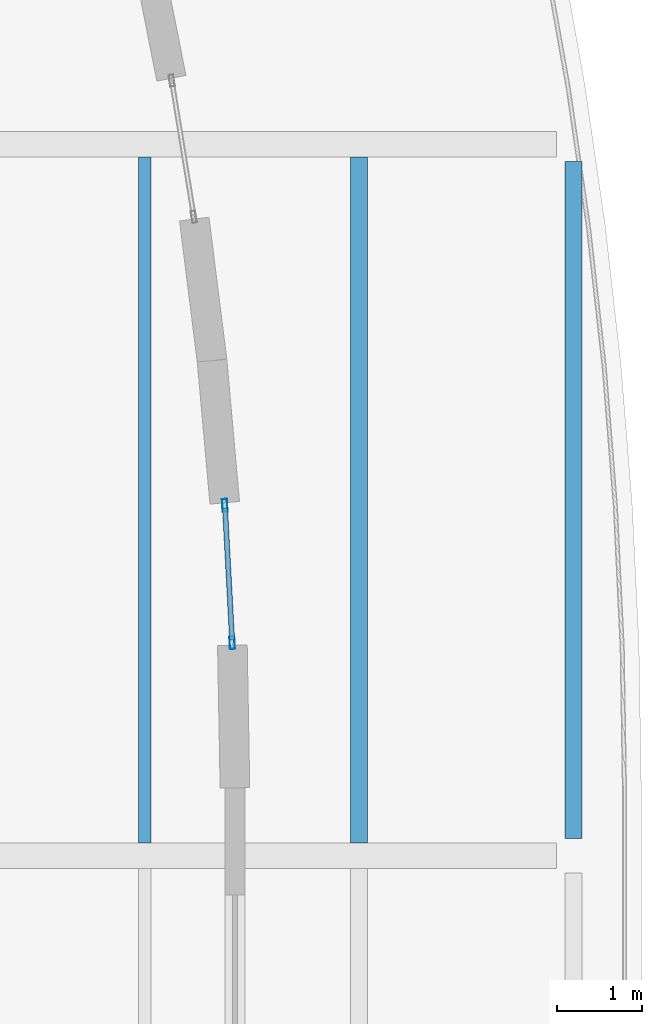
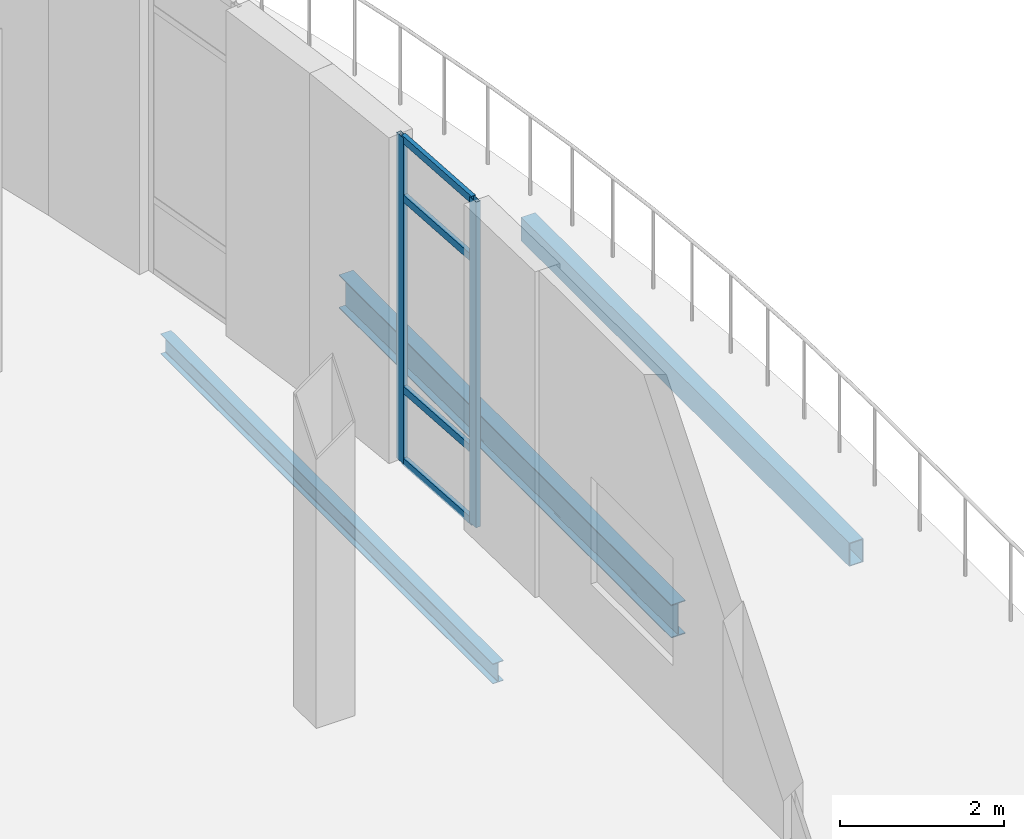
# One storey, part 46 of 103: 6 members, 3 beams, 1 element without a shape of its own.
"""IFC4 building model written with IfcOpenShell, lengths in metres."""

from ifc_helpers import new_model, si_unit, direction, frame, origin, origin_2d, place, context, subcontext, project, spatial, hollow_rectangle, i_section, extrude, material, layer, layer_set, material_profile, profile_set, type_object, element, aggregate, save


model = new_model("IFC4")

# Units and contexts
model_context = context("Model", 3, precision=1e-05, world=origin(), true_north=direction((0.0, 1.0)))
body_context = subcontext(model_context, "Body", "Model", "MODEL_VIEW")
ifc_project = project(units=[si_unit("LENGTHUNIT", "METRE"), si_unit("AREAUNIT", "SQUARE_METRE"), si_unit("VOLUMEUNIT", "CUBIC_METRE"), si_unit("PLANEANGLEUNIT", "RADIAN"), si_unit("MASSUNIT", "GRAM", prefix="KILO"), si_unit("THERMODYNAMICTEMPERATUREUNIT", "KELVIN")], contexts=[model_context])

# Site, building, storey
site_placement = place(None, origin())
site = spatial("IfcSite", under=ifc_project, at=site_placement, CompositionType="ELEMENT")
building_placement = place(site_placement, origin())
building = spatial("IfcBuilding", under=site, at=building_placement, Name="Lustrewick Department Store", CompositionType="ELEMENT")
storey_placement = place(building_placement, frame((0.0, 0.0, 16.5)))
storey = spatial("IfcBuildingStorey", under=building, at=storey_placement, Name="L04", CompositionType="ELEMENT", Elevation=16.5)

# Beams
ifc_material_1 = material(Name="Structural steel Q355B", Category="steel")
ifc_material_profile_1 = material_profile(ifc_material_1, i_section(OverallWidth=0.198974609375, OverallDepth=0.49609375, WebThickness=0.009033203125, FlangeThickness=0.013916015625, FilletRadius=0.01611328125, at=origin_2d()), Name="HN 496x199x9x14")
ifc_profile_set_1 = profile_set([ifc_material_profile_1], Name="Structural steel Q355B")
beam_type_1 = type_object("IfcBeamType", Name="B02", PredefinedType="JOIST", material=ifc_profile_set_1)
beam_1_placement = place(storey_placement, frame((164.666748046875, 58.950927734375, -0.5029296875), z_axis=(0.0, 1.0, 0.0), x_axis=(-1.0, 0.0, 0.0)))
element("IfcBeam", 1, at=beam_1_placement, inside=storey, type_object=beam_type_1, Name="L04 V4 Secondary Joist B02", PredefinedType="JOIST", context=body_context, shape_type="SweptSolid", body=[
    extrude(i_section(OverallWidth=0.198974609375, OverallDepth=0.49609375, WebThickness=0.009033203125, FlangeThickness=0.013916015625, FilletRadius=0.01611328125, at=origin_2d()), origin(), (0.0, 0.0, 1.0), 8.09814453125),
])
ifc_material_profile_2 = material_profile(ifc_material_1, i_section(OverallWidth=0.14990234375, OverallDepth=0.300048828125, WebThickness=0.006591796875, FlangeThickness=0.009033203125, FilletRadius=0.011962890625, at=origin_2d()), Name="HN 300x150x6.5x9")
ifc_profile_set_2 = profile_set([ifc_material_profile_2], Name="Structural steel Q355B")
beam_type_2 = type_object("IfcBeamType", Name="B11", PredefinedType="JOIST", material=ifc_profile_set_2)
beam_2_placement = place(storey_placement, frame((162.13330078125, 58.950927734375, -0.405029296875), z_axis=(0.0, 1.0, 0.0), x_axis=(-1.0, 0.0, 0.0)))
element("IfcBeam", 2, at=beam_2_placement, inside=storey, type_object=beam_type_2, Name="L04 V4 Secondary Joist B11", PredefinedType="JOIST", context=body_context, shape_type="SweptSolid", body=[
    extrude(i_section(OverallWidth=0.14990234375, OverallDepth=0.300048828125, WebThickness=0.006591796875, FlangeThickness=0.009033203125, FilletRadius=0.011962890625, at=origin_2d()), origin(), (0.0, 0.0, 1.0), 8.09814453125),
])

# Curtain wall, members
ifc_material_2 = material(Name="Thermally broken aluminium 6063-T5", Category="aluminium")
ifc_layer = layer(ifc_material_2, 0.14990234375, Name="Thermally broken aluminium 6063-T5")
ifc_layer_set = layer_set([ifc_layer], Name="Thermally broken aluminium 6063-T5")
curtain_wall_type = type_object("IfcCurtainWallType", Name="CW14", PredefinedType="NOTDEFINED", material=ifc_layer_set)
curtain_wall_placement = place(storey_placement, origin())
curtain_wall = element("IfcCurtainWall", 3, at=curtain_wall_placement, inside=storey, type_object=curtain_wall_type, Name="L04 V4 Curtain Wall CW14", PredefinedType="NOTDEFINED")
ifc_material_profile_3 = material_profile(ifc_material_2, hollow_rectangle(XDim=0.06005859375, YDim=0.14990234375, WallThickness=0.00341796875, at=origin_2d()), Name="ALU-M 60x150x3.5")
ifc_profile_set_3 = profile_set([ifc_material_profile_3], Name="Thermally broken aluminium 6063-T5")
member_type_1 = type_object("IfcMemberType", Name="CW14-M1", PredefinedType="MULLION", material=ifc_profile_set_3)
member_1_placement = place(storey_placement, frame((163.168212890625, 61.314697265625, 0.0), z_axis=(0.0, 0.0, 1.0), x_axis=(-0.998566036794, -0.053533822595, 0.0)))
member_1 = element("IfcMember", 4, at=member_1_placement, type_object=member_type_1, Name="CW14 mullion 1", PredefinedType="MULLION", context=body_context, shape_type="SweptSolid", body=[
    extrude(hollow_rectangle(XDim=0.06005859375, YDim=0.14990234375, WallThickness=0.00341796875, at=origin_2d()), origin(), (0.0, 0.0, 1.0), 4.844970703125),
])
member_2_placement = place(storey_placement, frame((163.081298828125, 62.937255859375, 0.0), z_axis=(0.0, 0.0, 1.0), x_axis=(-0.998566036794, -0.053533822595, 0.0)))
member_2 = element("IfcMember", 5, at=member_2_placement, type_object=member_type_1, Name="CW14 mullion 2", PredefinedType="MULLION", context=body_context, shape_type="SweptSolid", body=[
    extrude(hollow_rectangle(XDim=0.06005859375, YDim=0.14990234375, WallThickness=0.00341796875, at=origin_2d()), origin(), (0.0, 0.0, 1.0), 4.844970703125),
])
ifc_material_profile_4 = material_profile(ifc_material_2, hollow_rectangle(XDim=0.06005859375, YDim=0.110107421875, WallThickness=0.0029296875, at=origin_2d()), Name="ALU-T 60x110x3")
ifc_profile_set_4 = profile_set([ifc_material_profile_4], Name="Thermally broken aluminium 6063-T5")
member_type_2 = type_object("IfcMemberType", Name="CW14-T1", PredefinedType="USERDEFINED", material=ifc_profile_set_4)
member_3_placement = place(storey_placement, frame((163.166748046875, 61.3447265625, 0.030029296875), z_axis=(-0.053516947014, 0.998566941363, 0.0), x_axis=(-0.998566941363, -0.053516947014, 0.0)))
member_3 = element("IfcMember", 6, at=member_3_placement, type_object=member_type_2, Name="CW14 transom 1.1", ObjectType="TRANSOM", PredefinedType="USERDEFINED", context=body_context, shape_type="SweptSolid", body=[
    extrude(hollow_rectangle(XDim=0.06005859375, YDim=0.110107421875, WallThickness=0.0029296875, at=origin_2d()), origin(), (0.0, 0.0, 1.0), 1.564697265625),
])
member_4_placement = place(storey_placement, frame((163.166748046875, 61.3447265625, 1.10009765625), z_axis=(-0.053516947014, 0.998566941363, 0.0), x_axis=(-0.998566941363, -0.053516947014, 0.0)))
member_4 = element("IfcMember", 7, at=member_4_placement, type_object=member_type_2, Name="CW14 transom 1.2", ObjectType="TRANSOM", PredefinedType="USERDEFINED", context=body_context, shape_type="SweptSolid", body=[
    extrude(hollow_rectangle(XDim=0.06005859375, YDim=0.110107421875, WallThickness=0.0029296875, at=origin_2d()), origin(), (0.0, 0.0, 1.0), 1.564697265625),
])
member_5_placement = place(storey_placement, frame((163.166748046875, 61.3447265625, 3.945068359375), z_axis=(-0.053516947014, 0.998566941363, 0.0), x_axis=(-0.998566941363, -0.053516947014, 0.0)))
member_5 = element("IfcMember", 8, at=member_5_placement, type_object=member_type_2, Name="CW14 transom 1.3", ObjectType="TRANSOM", PredefinedType="USERDEFINED", context=body_context, shape_type="SweptSolid", body=[
    extrude(hollow_rectangle(XDim=0.06005859375, YDim=0.110107421875, WallThickness=0.0029296875, at=origin_2d()), origin(), (0.0, 0.0, 1.0), 1.564697265625),
])
member_6_placement = place(storey_placement, frame((163.166748046875, 61.3447265625, 4.81494140625), z_axis=(-0.053516947014, 0.998566941363, 0.0), x_axis=(-0.998566941363, -0.053516947014, 0.0)))
member_6 = element("IfcMember", 9, at=member_6_placement, type_object=member_type_2, Name="CW14 transom 1.4", ObjectType="TRANSOM", PredefinedType="USERDEFINED", context=body_context, shape_type="SweptSolid", body=[
    extrude(hollow_rectangle(XDim=0.06005859375, YDim=0.110107421875, WallThickness=0.0029296875, at=origin_2d()), origin(), (0.0, 0.0, 1.0), 1.564697265625),
])
aggregate(curtain_wall, [member_1, member_2, member_3, member_4, member_5, member_6])

# Beam
ifc_material_3 = material(Name="Structural steel Q355C", Category="steel")
ifc_material_profile_5 = material_profile(ifc_material_3, hollow_rectangle(XDim=0.199951171875, YDim=0.35009765625, WallThickness=0.011962890625, at=origin_2d()), Name="RHS 350x200x12")
ifc_profile_set_5 = profile_set([ifc_material_profile_5], Name="Structural steel Q355C")
beam_type_3 = type_object("IfcBeamType", Name="SP03", PredefinedType="SPANDREL", material=ifc_profile_set_5)
beam_3_placement = place(storey_placement, frame((167.199951171875, 59.0029296875, -0.429931640625), z_axis=(0.0, 1.0, 0.0), x_axis=(-1.0, 0.0, 0.0)))
element("IfcBeam", 10, at=beam_3_placement, inside=storey, type_object=beam_type_3, Name="L04 V4 Girder SP03", PredefinedType="SPANDREL", context=body_context, shape_type="SweptSolid", body=[
    extrude(hollow_rectangle(XDim=0.199951171875, YDim=0.35009765625, WallThickness=0.011962890625, at=origin_2d()), origin(), (0.0, 0.0, 1.0), 7.994140625),
])

save(model, "model.ifc")
